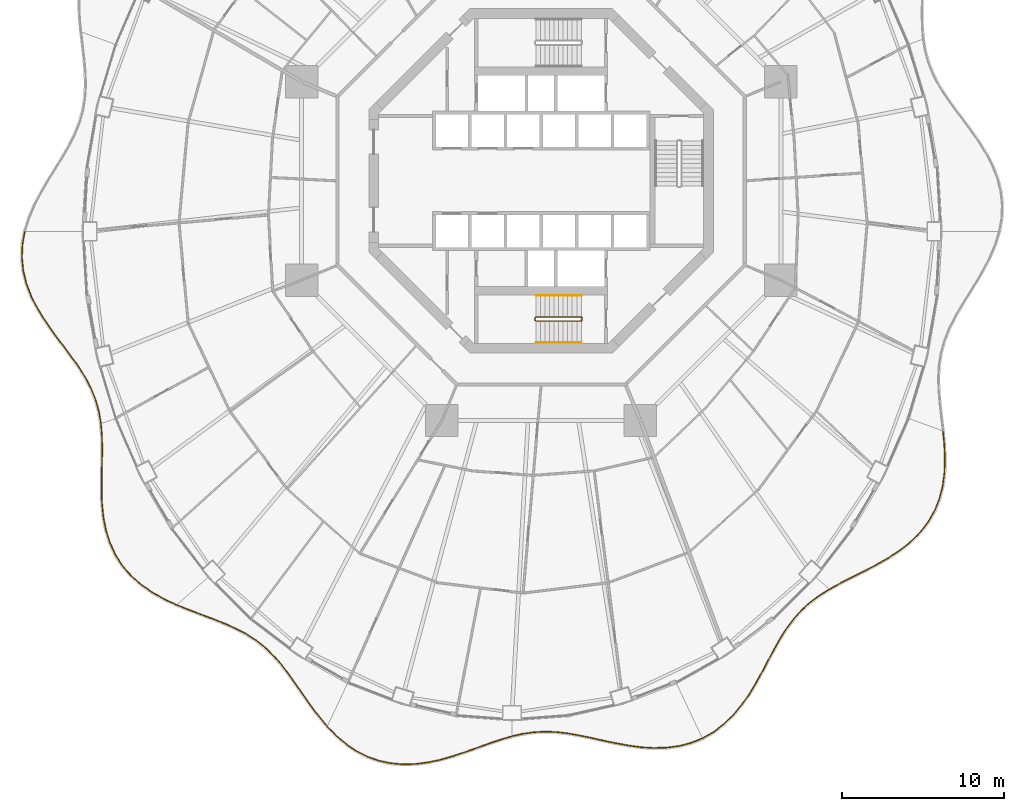
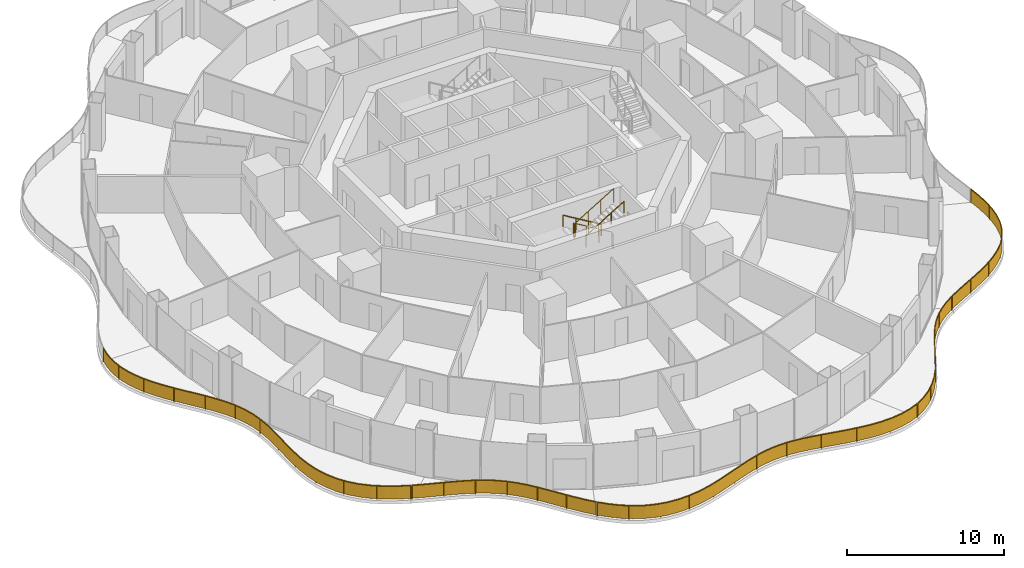
# One storey, part 18 of 20: 10 railings.
"""IFC4 building model written with IfcOpenShell, lengths in metres."""

from ifc_helpers import new_model, si_unit, direction, frame, origin, origin_2d, place, context, subcontext, project, spatial, polyline, rectangle, circle, outline, extrude, material, type_object, element, save


model = new_model("IFC4")

# Units and contexts
model_context = context("Model", 3, precision=1e-05, world=origin(), true_north=direction((0.0, 1.0)))
body_context = subcontext(model_context, "Body", "Model", "MODEL_VIEW")
ifc_project = project(units=[si_unit("LENGTHUNIT", "METRE"), si_unit("AREAUNIT", "SQUARE_METRE"), si_unit("VOLUMEUNIT", "CUBIC_METRE"), si_unit("PLANEANGLEUNIT", "RADIAN"), si_unit("MASSUNIT", "GRAM", prefix="KILO")], contexts=[model_context])

# Site, building, storey
site_placement = place(None, origin())
site = spatial("IfcSite", under=ifc_project, at=site_placement, CompositionType="ELEMENT")
building_placement = place(site_placement, origin())
building = spatial("IfcBuilding", under=site, at=building_placement, Name="Nagisa Residences", CompositionType="ELEMENT")
storey_placement = place(building_placement, frame((0.0, 0.0, 123.300048828125)))
storey = spatial("IfcBuildingStorey", under=building, at=storey_placement, Name="L30", CompositionType="ELEMENT", Elevation=123.300048828125)

# Railings
ifc_material_1 = material(Name="Stainless steel 316", Category="steel")
railing_type_1 = type_object("IfcRailingType", Name="BALCONY GUARD 1100", PredefinedType="BALUSTRADE", material=ifc_material_1)
railing_1_placement = place(storey_placement, frame((-31.85791015625, -3.15576171875, 0.0)))
element("IfcRailing", 1, at=railing_1_placement, inside=storey, type_object=railing_type_1, Name="guard:L30:bal08-0", PredefinedType="BALUSTRADE", context=body_context, shape_type="SweptSolid", body=[
    extrude(outline(polyline([(-0.114501953125, -0.77587890625), (0.024658203125, -0.00439453125), (-0.024658203125, 0.00439453125), (-0.164306640625, -0.7705078125), (-0.197021484375, -1.59423828125), (-0.11083984375, -2.41357421875), (0.090087890625, -3.22119140625), (0.396240234375, -4.011474609375), (0.789794921875, -4.7666015625), (1.252197265625, -5.51171875), (1.75830078125, -6.23388671875), (2.281494140625, -6.935546875), (2.7958984375, -7.6220703125), (3.274658203125, -8.2861328125), (3.70361328125, -8.963134765625), (4.064697265625, -9.6484375), (4.3486328125, -10.350341796875), (4.552734375, -11.076416015625), (4.67431640625, -11.79150390625), (4.7236328125, -11.783203125), (4.6015625, -11.065185546875), (4.39599609375, -10.334228515625), (4.110107421875, -9.62744140625), (3.7470703125, -8.938232421875), (3.316162109375, -8.25830078125), (2.83642578125, -7.59228515625), (2.321533203125, -6.90576171875), (1.798828125, -6.20458984375), (1.294189453125, -5.484375), (0.833251953125, -4.74169921875), (0.442138671875, -3.990966796875), (0.137939453125, -3.2060546875), (-0.0615234375, -2.40478515625), (-0.146728515625, -1.5927734375), (-0.114501953125, -0.77587890625)])), frame((0.0, 0.0, 1.050048828125)), (0.0, 0.0, 1.0), 0.050048828125),
    extrude(outline(polyline([(-0.13232421875, -0.77392578125), (0.0068359375, -0.001220703125), (-0.0068359375, 0.001220703125), (-0.146484375, -0.7724609375), (-0.178955078125, -1.59375), (-0.093017578125, -2.410400390625), (0.107421875, -3.2158203125), (0.412841796875, -4.004150390625), (0.805419921875, -4.757568359375), (1.267333984375, -5.501953125), (1.77294921875, -6.223388671875), (2.2958984375, -6.9248046875), (2.810546875, -7.611328125), (3.28955078125, -8.276123046875), (3.71923828125, -8.9541015625), (4.0810546875, -9.640869140625), (4.36572265625, -10.344482421875), (4.5703125, -11.072265625), (4.692138671875, -11.78857421875), (4.705810546875, -11.7861328125), (4.583984375, -11.0693359375), (4.37890625, -10.340087890625), (4.09375, -9.635009765625), (3.7314453125, -8.947265625), (3.30126953125, -8.268310546875), (2.82177734375, -7.60302734375), (2.30712890625, -6.91650390625), (1.7841796875, -6.215087890625), (1.279052734375, -5.494140625), (0.817626953125, -4.750732421875), (0.425537109375, -3.998291015625), (0.12060546875, -3.21142578125), (-0.079345703125, -2.407958984375), (-0.164794921875, -1.59326171875), (-0.13232421875, -0.77392578125)])), frame((0.0, 0.0, 0.06005859375)), (0.0, 0.0, 1.0), 0.989990234375),
    extrude(rectangle(XDim=0.0400390625, YDim=0.0400390625, at=origin_2d()), origin(), (0.0, 0.0, 1.0), 1.050048828125),
    extrude(rectangle(XDim=0.0400390625, YDim=0.0400390625, at=origin_2d()), frame((-0.11181640625, -2.1640625, 0.0)), (0.0, 0.0, 1.0), 1.050048828125),
    extrude(rectangle(XDim=0.0400390625, YDim=0.0400390625, at=origin_2d()), frame((0.539306640625, -4.23193359375, 0.0)), (0.0, 0.0, 1.0), 1.050048828125),
    extrude(rectangle(XDim=0.0400390625, YDim=0.0400390625, at=origin_2d()), frame((1.68408203125, -6.084228515625, 0.0)), (0.0, 0.0, 1.0), 1.050048828125),
    extrude(rectangle(XDim=0.0400390625, YDim=0.0400390625, at=origin_2d()), frame((2.9814453125, -7.83642578125, 0.0)), (0.0, 0.0, 1.0), 1.050048828125),
    extrude(rectangle(XDim=0.0400390625, YDim=0.0400390625, at=origin_2d()), frame((4.111083984375, -9.696533203125, 0.0)), (0.0, 0.0, 1.0), 1.050048828125),
    extrude(rectangle(XDim=0.0400390625, YDim=0.0400390625, at=origin_2d()), frame((4.698974609375, -11.787353515625, 0.0)), (0.0, 0.0, 1.0), 1.050048828125),
])
railing_2_placement = place(storey_placement, frame((-27.152099609375, -15.013671875, 0.0)))
element("IfcRailing", 2, at=railing_2_placement, inside=storey, type_object=railing_type_1, Name="guard:L30:bal09-0", PredefinedType="BALUSTRADE", context=body_context, shape_type="SweptSolid", body=[
    extrude(outline(polyline([(0.08349609375, -0.721923828125), (0.02490234375, 0.001953125), (-0.02490234375, -0.001953125), (0.03369140625, -0.724365234375), (0.04931640625, -1.518798828125), (0.037109375, -2.3408203125), (0.01708984375, -3.18408203125), (0.011474609375, -4.0400390625), (0.035888671875, -4.884521484375), (0.12353515625, -5.7314453125), (0.284912109375, -6.55419921875), (0.5322265625, -7.340576171875), (0.873779296875, -8.078369140625), (1.304443359375, -8.746337890625), (1.8349609375, -9.359619140625), (2.451171875, -9.90673828125), (3.13916015625, -10.386474609375), (3.883056640625, -10.804931640625), (4.62353515625, -11.149169921875), (4.64453125, -11.103759765625), (3.906005859375, -10.760498046875), (3.166015625, -10.343994140625), (2.482421875, -9.8671875), (1.87060546875, -9.324462890625), (1.344482421875, -8.716064453125), (0.917724609375, -8.053955078125), (0.5791015625, -7.322509765625), (0.333251953125, -6.5419921875), (0.1728515625, -5.72412109375), (0.085693359375, -4.881103515625), (0.061767578125, -4.03955078125), (0.06689453125, -3.18505859375), (0.0869140625, -2.341796875), (0.099609375, -1.518798828125), (0.08349609375, -0.721923828125)])), frame((0.0, 0.0, 1.050048828125)), (0.0, 0.0, 1.0), 0.050048828125),
    extrude(outline(polyline([(0.065673828125, -0.722900390625), (0.007080078125, 0.00048828125), (-0.007080078125, -0.00048828125), (0.051513671875, -0.723388671875), (0.0673828125, -1.518798828125), (0.054931640625, -2.341064453125), (0.034912109375, -3.1845703125), (0.029541015625, -4.039794921875), (0.0537109375, -4.88330078125), (0.141357421875, -5.728759765625), (0.30224609375, -6.5498046875), (0.549072265625, -7.333984375), (0.8896484375, -8.069580078125), (1.31884765625, -8.7353515625), (1.847900390625, -9.346923828125), (2.46240234375, -9.892578125), (3.14892578125, -10.37109375), (3.891357421875, -10.7890625), (4.631103515625, -11.1328125), (4.636962890625, -11.1201171875), (3.897705078125, -10.7763671875), (3.15625, -10.359375), (2.47119140625, -9.88134765625), (1.857666015625, -9.337158203125), (1.330078125, -8.72705078125), (0.90185546875, -8.062744140625), (0.562255859375, -7.3291015625), (0.31591796875, -6.54638671875), (0.155029296875, -5.726806640625), (0.06787109375, -4.88232421875), (0.043701171875, -4.039794921875), (0.049072265625, -3.1845703125), (0.069091796875, -2.341552734375), (0.08154296875, -1.518798828125), (0.065673828125, -0.722900390625)])), frame((0.0, 0.0, 0.06005859375)), (0.0, 0.0, 1.0), 0.989990234375),
    extrude(rectangle(XDim=0.0400390625, YDim=0.0400390625, at=origin_2d()), origin(), (0.0, 0.0, 1.0), 1.050048828125),
    extrude(rectangle(XDim=0.0400390625, YDim=0.0400390625, at=origin_2d()), frame((0.064453125, -2.184814453125, 0.0)), (0.0, 0.0, 1.0), 1.050048828125),
    extrude(rectangle(XDim=0.0400390625, YDim=0.0400390625, at=origin_2d()), frame((0.046142578125, -4.3720703125, 0.0)), (0.0, 0.0, 1.0), 1.050048828125),
    extrude(rectangle(XDim=0.0400390625, YDim=0.0400390625, at=origin_2d()), frame((0.307373046875, -6.539306640625, 0.0)), (0.0, 0.0, 1.0), 1.050048828125),
    extrude(rectangle(XDim=0.0400390625, YDim=0.0400390625, at=origin_2d()), frame((1.192626953125, -8.526611328125, 0.0)), (0.0, 0.0, 1.0), 1.050048828125),
    extrude(rectangle(XDim=0.0400390625, YDim=0.0400390625, at=origin_2d()), frame((2.7255859375, -10.0673828125, 0.0)), (0.0, 0.0, 1.0), 1.050048828125),
    extrude(rectangle(XDim=0.0400390625, YDim=0.0400390625, at=origin_2d()), frame((4.634033203125, -11.12646484375, 0.0)), (0.0, 0.0, 1.0), 1.050048828125),
])
railing_3_placement = place(storey_placement, frame((-22.447021484375, -26.169921875, 0.0)))
element("IfcRailing", 3, at=railing_3_placement, inside=storey, type_object=railing_type_1, Name="guard:L30:bal10-0", PredefinedType="BALUSTRADE", context=body_context, shape_type="SweptSolid", body=[
    extrude(outline(polyline([(0.728271484375, -0.2685546875), (0.009521484375, 0.023193359375), (-0.009521484375, -0.023193359375), (0.710205078125, -0.31494140625), (1.47119140625, -0.603515625), (2.217529296875, -0.883544921875), (2.93603515625, -1.169189453125), (3.617431640625, -1.4755859375), (4.243408203125, -1.804931640625), (4.836181640625, -2.18798828125), (5.38525390625, -2.62255859375), (5.895751953125, -3.11181640625), (6.376220703125, -3.655029296875), (6.822509765625, -4.23876953125), (7.274658203125, -4.871826171875), (7.73095703125, -5.531982421875), (8.203369140625, -6.20263671875), (8.703125, -6.865966796875), (9.20556640625, -7.4677734375), (9.244140625, -7.435546875), (8.7421875, -6.834716796875), (8.243896484375, -6.17333984375), (7.77197265625, -5.503173828125), (7.315673828125, -4.843017578125), (6.862548828125, -4.208984375), (6.414794921875, -3.623291015625), (5.931884765625, -3.0771484375), (5.41796875, -2.5849609375), (4.865478515625, -2.1474609375), (4.268798828125, -1.761474609375), (3.639404296875, -1.4306640625), (2.95556640625, -1.123291015625), (2.235595703125, -0.836669921875), (1.48876953125, -0.556640625), (0.728271484375, -0.2685546875)])), frame((0.0, 0.0, 1.050048828125)), (0.0, 0.0, 1.0), 0.050048828125),
    extrude(outline(polyline([(0.7216796875, -0.28515625), (0.002685546875, 0.006591796875), (-0.002685546875, -0.006591796875), (0.716796875, -0.29833984375), (1.4775390625, -0.586669921875), (2.22412109375, -0.86669921875), (2.943115234375, -1.152587890625), (3.625244140625, -1.45947265625), (4.252685546875, -1.789306640625), (4.8466796875, -2.17333984375), (5.39697265625, -2.609130859375), (5.90869140625, -3.099365234375), (6.39013671875, -3.6435546875), (6.8369140625, -4.22802734375), (7.28955078125, -4.861328125), (7.74560546875, -5.521484375), (8.218017578125, -6.192138671875), (8.71728515625, -6.854736328125), (9.219482421875, -7.4560546875), (9.230224609375, -7.447265625), (8.72802734375, -6.845947265625), (8.229248046875, -6.183837890625), (7.75732421875, -5.513671875), (7.30078125, -4.853515625), (6.84814453125, -4.2197265625), (6.40087890625, -3.634765625), (5.9189453125, -3.089599609375), (5.40625, -2.598388671875), (4.85498046875, -2.162109375), (4.259521484375, -1.777099609375), (3.631591796875, -1.44677734375), (2.948486328125, -1.139892578125), (2.22900390625, -0.853515625), (1.482421875, -0.573486328125), (0.7216796875, -0.28515625)])), frame((0.0, 0.0, 0.06005859375)), (0.0, 0.0, 1.0), 0.989990234375),
    extrude(rectangle(XDim=0.0400390625, YDim=0.0400390625, at=origin_2d()), origin(), (0.0, 0.0, 1.0), 1.050048828125),
    extrude(rectangle(XDim=0.0400390625, YDim=0.0400390625, at=origin_2d()), frame((1.897705078125, -0.73681640625, 0.0)), (0.0, 0.0, 1.0), 1.050048828125),
    extrude(rectangle(XDim=0.0400390625, YDim=0.0400390625, at=origin_2d()), frame((3.772216796875, -1.52880859375, 0.0)), (0.0, 0.0, 1.0), 1.050048828125),
    extrude(rectangle(XDim=0.0400390625, YDim=0.0400390625, at=origin_2d()), frame((5.458251953125, -2.657958984375, 0.0)), (0.0, 0.0, 1.0), 1.050048828125),
    extrude(rectangle(XDim=0.0400390625, YDim=0.0400390625, at=origin_2d()), frame((6.807373046875, -4.177734375, 0.0)), (0.0, 0.0, 1.0), 1.050048828125),
    extrude(rectangle(XDim=0.0400390625, YDim=0.0400390625, at=origin_2d()), frame((7.97998046875, -5.842041015625, 0.0)), (0.0, 0.0, 1.0), 1.050048828125),
    extrude(rectangle(XDim=0.0400390625, YDim=0.0400390625, at=origin_2d()), frame((9.224853515625, -7.45166015625, 0.0)), (0.0, 0.0, 1.0), 1.050048828125),
])
railing_4_placement = place(storey_placement, frame((-13.1708984375, -33.6796875, 0.0)))
element("IfcRailing", 4, at=railing_4_placement, inside=storey, type_object=railing_type_1, Name="guard:L30:bal11-0", PredefinedType="BALUSTRADE", context=body_context, shape_type="SweptSolid", body=[
    extrude(outline(polyline([(0.537109375, -0.518310546875), (0.01806640625, 0.017333984375), (-0.01806640625, -0.017333984375), (0.5029296875, -0.554931640625), (1.1015625, -1.065185546875), (1.743408203125, -1.50146484375), (2.425537109375, -1.85302734375), (3.14453125, -2.11181640625), (3.876220703125, -2.26904296875), (4.646728515625, -2.33642578125), (5.430419921875, -2.313720703125), (6.218994140625, -2.21142578125), (7.004638671875, -2.042236328125), (7.76318359375, -1.81982421875), (8.5234375, -1.567626953125), (9.266357421875, -1.3017578125), (9.989990234375, -1.041259765625), (10.695556640625, -0.802734375), (11.34375, -0.612548828125), (11.32958984375, -0.564697265625), (10.680419921875, -0.7548828125), (9.973388671875, -0.993896484375), (9.249267578125, -1.2548828125), (8.50732421875, -1.520263671875), (7.748046875, -1.77197265625), (6.992431640625, -1.993896484375), (6.210693359375, -2.162109375), (5.426513671875, -2.263916015625), (4.648193359375, -2.2861328125), (3.883544921875, -2.21923828125), (3.158203125, -2.0634765625), (2.445556640625, -1.80712890625), (1.768798828125, -1.45849609375), (1.1318359375, -1.025146484375), (0.537109375, -0.518310546875)])), frame((0.0, 0.0, 1.050048828125)), (0.0, 0.0, 1.0), 0.050048828125),
    extrude(outline(polyline([(0.52490234375, -0.531494140625), (0.005126953125, 0.0048828125), (-0.005126953125, -0.0048828125), (0.51513671875, -0.541748046875), (1.112548828125, -1.05078125), (1.75244140625, -1.486083984375), (2.432861328125, -1.83642578125), (3.1494140625, -2.094482421875), (3.87890625, -2.2509765625), (4.647216796875, -2.318359375), (5.428955078125, -2.2958984375), (6.216064453125, -2.193603515625), (7.000244140625, -2.02490234375), (7.7578125, -1.802490234375), (8.517578125, -1.550537109375), (9.26025390625, -1.284912109375), (9.98388671875, -1.024169921875), (10.690185546875, -0.785400390625), (11.338623046875, -0.595458984375), (11.334716796875, -0.581787109375), (10.685791015625, -0.772216796875), (9.9794921875, -1.010986328125), (9.25537109375, -1.271728515625), (8.51318359375, -1.537353515625), (7.75341796875, -1.789306640625), (6.996826171875, -2.01123046875), (6.213623046875, -2.179931640625), (5.427978515625, -2.28173828125), (4.647705078125, -2.30419921875), (3.880859375, -2.2373046875), (3.1533203125, -2.080810546875), (2.438232421875, -1.82373046875), (1.759765625, -1.473876953125), (1.120849609375, -1.03955078125), (0.52490234375, -0.531494140625)])), frame((0.0, 0.0, 0.06005859375)), (0.0, 0.0, 1.0), 0.989990234375),
    extrude(rectangle(XDim=0.0400390625, YDim=0.0400390625, at=origin_2d()), origin(), (0.0, 0.0, 1.0), 1.050048828125),
    extrude(rectangle(XDim=0.0400390625, YDim=0.0400390625, at=origin_2d()), frame((1.544189453125, -1.3359375, 0.0)), (0.0, 0.0, 1.0), 1.050048828125),
    extrude(rectangle(XDim=0.0400390625, YDim=0.0400390625, at=origin_2d()), frame((3.41259765625, -2.143798828125, 0.0)), (0.0, 0.0, 1.0), 1.050048828125),
    extrude(rectangle(XDim=0.0400390625, YDim=0.0400390625, at=origin_2d()), frame((5.44677734375, -2.286376953125, 0.0)), (0.0, 0.0, 1.0), 1.050048828125),
    extrude(rectangle(XDim=0.0400390625, YDim=0.0400390625, at=origin_2d()), frame((7.45166015625, -1.885009765625, 0.0)), (0.0, 0.0, 1.0), 1.050048828125),
    extrude(rectangle(XDim=0.0400390625, YDim=0.0400390625, at=origin_2d()), frame((9.39208984375, -1.22998046875, 0.0)), (0.0, 0.0, 1.0), 1.050048828125),
    extrude(rectangle(XDim=0.0400390625, YDim=0.0400390625, at=origin_2d()), frame((11.336669921875, -0.588623046875, 0.0)), (0.0, 0.0, 1.0), 1.050048828125),
])
railing_5_placement = place(storey_placement, frame((-1.765380859375, -34.248291015625, 0.0)))
element("IfcRailing", 5, at=railing_5_placement, inside=storey, type_object=railing_type_1, Name="guard:L30:bal12-0", PredefinedType="BALUSTRADE", context=body_context, shape_type="SweptSolid", body=[
    extrude(outline(polyline([(0.634033203125, 0.16796875), (-0.00537109375, 0.0244140625), (0.00537109375, -0.0244140625), (0.642822265625, 0.11865234375), (1.318359375, 0.2138671875), (1.99560546875, 0.248779296875), (2.680908203125, 0.22509765625), (3.37939453125, 0.1474609375), (4.07861328125, 0.0234375), (4.815673828125, -0.128662109375), (5.572509765625, -0.295654296875), (6.348388671875, -0.460205078125), (7.13818359375, -0.602783203125), (7.91943359375, -0.711669921875), (8.7177734375, -0.759765625), (9.50732421875, -0.7373046875), (10.278564453125, -0.634033203125), (11.02197265625, -0.4423828125), (11.683349609375, -0.17724609375), (11.664794921875, -0.130859375), (11.00634765625, -0.39453125), (10.268798828125, -0.584716796875), (9.50341796875, -0.6875), (8.71875, -0.70947265625), (7.92431640625, -0.661865234375), (7.14599609375, -0.553466796875), (6.358154296875, -0.410888671875), (5.583251953125, -0.246826171875), (4.825927734375, -0.079833984375), (4.087890625, 0.07275390625), (3.38671875, 0.197265625), (2.684326171875, 0.27490234375), (1.9951171875, 0.299072265625), (1.3134765625, 0.263671875), (0.634033203125, 0.16796875)])), frame((0.0, 0.0, 1.050048828125)), (0.0, 0.0, 1.0), 0.050048828125),
    extrude(outline(polyline([(0.63720703125, 0.150146484375), (-0.00146484375, 0.0068359375), (0.00146484375, -0.0068359375), (0.6396484375, 0.136474609375), (1.316650390625, 0.231689453125), (1.995361328125, 0.266845703125), (2.68212890625, 0.242919921875), (3.382080078125, 0.16552734375), (4.08203125, 0.041259765625), (4.8193359375, -0.111083984375), (5.576416015625, -0.278076171875), (6.351806640625, -0.4423828125), (7.140869140625, -0.5849609375), (7.921142578125, -0.69384765625), (8.71826171875, -0.74169921875), (9.505859375, -0.719482421875), (10.275146484375, -0.6162109375), (11.016357421875, -0.425048828125), (11.6767578125, -0.16064453125), (11.67138671875, -0.1474609375), (11.011962890625, -0.411865234375), (10.272216796875, -0.6025390625), (9.5048828125, -0.705322265625), (8.71826171875, -0.7275390625), (7.922607421875, -0.6796875), (7.143310546875, -0.5712890625), (6.354736328125, -0.4287109375), (5.579345703125, -0.264404296875), (4.822265625, -0.097412109375), (4.08447265625, 0.054931640625), (3.384033203125, 0.17919921875), (2.68310546875, 0.257080078125), (1.995361328125, 0.281005859375), (1.315185546875, 0.245849609375), (0.63720703125, 0.150146484375)])), frame((0.0, 0.0, 0.06005859375)), (0.0, 0.0, 1.0), 0.989990234375),
    extrude(rectangle(XDim=0.0400390625, YDim=0.0400390625, at=origin_2d()), origin(), (0.0, 0.0, 1.0), 1.050048828125),
    extrude(rectangle(XDim=0.0400390625, YDim=0.0400390625, at=origin_2d()), frame((2.349853515625, 0.261474609375, 0.0)), (0.0, 0.0, 1.0), 1.050048828125),
    extrude(rectangle(XDim=0.0400390625, YDim=0.0400390625, at=origin_2d()), frame((4.6953125, -0.078369140625, 0.0)), (0.0, 0.0, 1.0), 1.050048828125),
    extrude(rectangle(XDim=0.0400390625, YDim=0.0400390625, at=origin_2d()), frame((7.02001953125, -0.55615234375, 0.0)), (0.0, 0.0, 1.0), 1.050048828125),
    extrude(rectangle(XDim=0.0400390625, YDim=0.0400390625, at=origin_2d()), frame((9.382568359375, -0.7158203125, 0.0)), (0.0, 0.0, 1.0), 1.050048828125),
    extrude(rectangle(XDim=0.0400390625, YDim=0.0400390625, at=origin_2d()), frame((11.674072265625, -0.154052734375, 0.0)), (0.0, 0.0, 1.0), 1.050048828125),
])
railing_6_placement = place(storey_placement, frame((9.978515625, -34.368896484375, 0.0)))
element("IfcRailing", 6, at=railing_6_placement, inside=storey, type_object=railing_type_1, Name="guard:L30:bal13-0", PredefinedType="BALUSTRADE", context=body_context, shape_type="SweptSolid", body=[
    extrude(outline(polyline([(0.62939453125, 0.38525390625), (-0.012451171875, 0.021728515625), (0.012451171875, -0.021728515625), (0.65673828125, 0.34326171875), (1.2919921875, 0.8232421875), (1.87158203125, 1.38330078125), (2.397216796875, 2.009765625), (2.872314453125, 2.685791015625), (3.29150390625, 3.384765625), (3.69140625, 4.105712890625), (4.070556640625, 4.822265625), (4.443115234375, 5.518310546875), (4.822021484375, 6.180908203125), (5.208984375, 6.789306640625), (5.639892578125, 7.35888671875), (6.11181640625, 7.87744140625), (6.6318359375, 8.346923828125), (7.2021484375, 8.77294921875), (7.78564453125, 9.140625), (7.7587890625, 9.18310546875), (7.173828125, 8.814453125), (6.60009765625, 8.385498046875), (6.07666015625, 7.9130859375), (5.601318359375, 7.39111328125), (5.16796875, 6.818115234375), (4.779052734375, 6.206787109375), (4.399169921875, 5.542724609375), (4.026611328125, 4.845703125), (3.6474609375, 4.129638671875), (3.248046875, 3.40966796875), (2.830322265625, 2.713134765625), (2.357666015625, 2.04052734375), (1.8349609375, 1.41748046875), (1.25927734375, 0.861328125), (0.62939453125, 0.38525390625)])), frame((0.0, 0.0, 1.050048828125)), (0.0, 0.0, 1.0), 0.050048828125),
    extrude(outline(polyline([(0.63916015625, 0.3701171875), (-0.00341796875, 0.006103515625), (0.00341796875, -0.006103515625), (0.64697265625, 0.3583984375), (1.2802734375, 0.8369140625), (1.8583984375, 1.3955078125), (2.383056640625, 2.02099609375), (2.857177734375, 2.695556640625), (3.27587890625, 3.393798828125), (3.675537109375, 4.1142578125), (4.0546875, 4.830810546875), (4.42724609375, 5.527099609375), (4.806640625, 6.190185546875), (5.1943359375, 6.7998046875), (5.6259765625, 7.37060546875), (6.09912109375, 7.890380859375), (6.620361328125, 8.36083984375), (7.19189453125, 8.787841796875), (7.77587890625, 9.156005859375), (7.7685546875, 9.167724609375), (7.18408203125, 8.799560546875), (6.611572265625, 8.37158203125), (6.08935546875, 7.900146484375), (5.615234375, 7.37939453125), (5.1826171875, 6.8076171875), (4.79443359375, 6.197509765625), (4.4150390625, 5.533935546875), (4.04248046875, 4.837158203125), (3.663330078125, 4.12109375), (3.263671875, 3.400634765625), (2.845458984375, 2.703369140625), (2.371826171875, 2.029296875), (1.84814453125, 1.4052734375), (1.27099609375, 0.84765625), (0.63916015625, 0.3701171875)])), frame((0.0, 0.0, 0.06005859375)), (0.0, 0.0, 1.0), 0.989990234375),
    extrude(rectangle(XDim=0.0400390625, YDim=0.0400390625, at=origin_2d()), origin(), (0.0, 0.0, 1.0), 1.050048828125),
    extrude(rectangle(XDim=0.0400390625, YDim=0.0400390625, at=origin_2d()), frame((1.639404296875, 1.19384765625, 0.0)), (0.0, 0.0, 1.0), 1.050048828125),
    extrude(rectangle(XDim=0.0400390625, YDim=0.0400390625, at=origin_2d()), frame((2.903076171875, 2.785888671875, 0.0)), (0.0, 0.0, 1.0), 1.050048828125),
    extrude(rectangle(XDim=0.0400390625, YDim=0.0400390625, at=origin_2d()), frame((3.90380859375, 4.560546875, 0.0)), (0.0, 0.0, 1.0), 1.050048828125),
    extrude(rectangle(XDim=0.0400390625, YDim=0.0400390625, at=origin_2d()), frame((4.894287109375, 6.341064453125, 0.0)), (0.0, 0.0, 1.0), 1.050048828125),
    extrude(rectangle(XDim=0.0400390625, YDim=0.0400390625, at=origin_2d()), frame((6.14599609375, 7.94189453125, 0.0)), (0.0, 0.0, 1.0), 1.050048828125),
    extrude(rectangle(XDim=0.0400390625, YDim=0.0400390625, at=origin_2d()), frame((7.772216796875, 9.161865234375, 0.0)), (0.0, 0.0, 1.0), 1.050048828125),
])
railing_7_placement = place(storey_placement, frame((17.814697265625, -25.171875, 0.0)))
element("IfcRailing", 7, at=railing_7_placement, inside=storey, type_object=railing_type_1, Name="guard:L30:bal14-0", PredefinedType="BALUSTRADE", context=body_context, shape_type="SweptSolid", body=[
    extrude(outline(polyline([(0.648681640625, 0.385986328125), (-0.011962890625, 0.02197265625), (0.011962890625, -0.02197265625), (0.672119140625, 0.341552734375), (1.40625, 0.71630859375), (2.1630859375, 1.09521484375), (2.924072265625, 1.492919921875), (3.669677734375, 1.924072265625), (4.37109375, 2.386962890625), (5.02490234375, 2.9150390625), (5.605712890625, 3.500732421875), (6.099609375, 4.1455078125), (6.49658203125, 4.846435546875), (6.7861328125, 5.584716796875), (6.98291015625, 6.378173828125), (7.08740234375, 7.203125), (7.113037109375, 8.048583984375), (7.07568359375, 8.90283203125), (6.998291015625, 9.71044921875), (6.948486328125, 9.70556640625), (7.02587890625, 8.8994140625), (7.062744140625, 8.048095703125), (7.03759765625, 7.20703125), (6.93359375, 6.387451171875), (6.73828125, 5.599853515625), (6.451171875, 4.867919921875), (6.0576171875, 4.17333984375), (5.568115234375, 3.533935546875), (4.9912109375, 2.9521484375), (4.34130859375, 2.427490234375), (3.643310546875, 1.966552734375), (2.900146484375, 1.536865234375), (2.14013671875, 1.1396484375), (1.3837890625, 0.7607421875), (0.648681640625, 0.385986328125)])), frame((0.0, 0.0, 1.050048828125)), (0.0, 0.0, 1.0), 0.050048828125),
    extrude(outline(polyline([(0.6572265625, 0.369873046875), (-0.00341796875, 0.006103515625), (0.00341796875, -0.006103515625), (0.66357421875, 0.357666015625), (1.398193359375, 0.732177734375), (2.15478515625, 1.111083984375), (2.91552734375, 1.5087890625), (3.66015625, 1.939453125), (4.3603515625, 2.401611328125), (5.0126953125, 2.928466796875), (5.59228515625, 3.5126953125), (6.08447265625, 4.155517578125), (6.480224609375, 4.854248046875), (6.768798828125, 5.590087890625), (6.965087890625, 6.381591796875), (7.069580078125, 7.20458984375), (7.094970703125, 8.04833984375), (7.057861328125, 8.901611328125), (6.98046875, 9.708740234375), (6.96630859375, 9.707275390625), (7.043701171875, 8.900634765625), (7.080810546875, 8.04833984375), (7.055419921875, 7.20556640625), (6.951416015625, 6.384033203125), (6.755615234375, 5.594482421875), (6.467529296875, 4.860107421875), (6.07275390625, 4.163330078125), (5.58154296875, 3.52197265625), (5.00341796875, 2.938720703125), (4.35205078125, 2.412841796875), (3.65283203125, 1.951171875), (2.90869140625, 1.52099609375), (2.1484375, 1.123779296875), (1.391845703125, 0.744873046875), (0.6572265625, 0.369873046875)])), frame((0.0, 0.0, 0.06005859375)), (0.0, 0.0, 1.0), 0.989990234375),
    extrude(rectangle(XDim=0.0400390625, YDim=0.0400390625, at=origin_2d()), origin(), (0.0, 0.0, 1.0), 1.050048828125),
    extrude(rectangle(XDim=0.0400390625, YDim=0.0400390625, at=origin_2d()), frame((1.949462890625, 1.01611328125, 0.0)), (0.0, 0.0, 1.0), 1.050048828125),
    extrude(rectangle(XDim=0.0400390625, YDim=0.0400390625, at=origin_2d()), frame((3.869140625, 2.085693359375, 0.0)), (0.0, 0.0, 1.0), 1.050048828125),
    extrude(rectangle(XDim=0.0400390625, YDim=0.0400390625, at=origin_2d()), frame((5.555419921875, 3.485595703125, 0.0)), (0.0, 0.0, 1.0), 1.050048828125),
    extrude(rectangle(XDim=0.0400390625, YDim=0.0400390625, at=origin_2d()), frame((6.67236328125, 5.363037109375, 0.0)), (0.0, 0.0, 1.0), 1.050048828125),
    extrude(rectangle(XDim=0.0400390625, YDim=0.0400390625, at=origin_2d()), frame((7.07177734375, 7.513916015625, 0.0)), (0.0, 0.0, 1.0), 1.050048828125),
    extrude(rectangle(XDim=0.0400390625, YDim=0.0400390625, at=origin_2d()), frame((6.973388671875, 9.7080078125, 0.0)), (0.0, 0.0, 1.0), 1.050048828125),
])
ifc_material_2 = material(Name="Stainless steel", Category="steel")
railing_type_2 = type_object("IfcRailingType", Name="Stair guard 1100", PredefinedType="GUARDRAIL", material=ifc_material_2)
railing_8_placement = place(storey_placement, frame((2.52490234375, -8.599609375, 0.0)))
element("IfcRailing", 8, at=railing_8_placement, inside=storey, type_object=railing_type_2, Name="L30 ST-S stair guard 1", PredefinedType="GUARDRAIL", context=body_context, shape_type="SweptSolid", body=[
    extrude(circle(Radius=0.02392578125, at=origin_2d()), frame((0.0, 0.0, 1.076171875), z_axis=(0.0, 1.0, 0.0), x_axis=(-1.0, 0.0, 0.0)), (0.0, 0.0, 1.0), 0.14990234375),
    extrude(circle(Radius=0.02392578125, at=origin_2d()), frame((0.0, 0.14990234375, 1.076171875), z_axis=(-0.273006030465, 0.27434429532, 0.922064485248), x_axis=(-0.708833529934, -0.705375805398, 0.0)), (0.0, 0.0, 1.0), 0.182373046875),
    extrude(circle(Radius=0.02392578125, at=origin_2d()), frame((-0.0498046875, 0.199951171875, 1.244140625), z_axis=(-0.857275202839, 0.0, 0.514858452973), x_axis=(0.0, -1.0, 0.0)), (0.0, 0.0, 1.0), 3.26611328125),
    extrude(circle(Radius=0.02392578125, at=origin_2d()), frame((-2.849853515625, 0.199951171875, 2.92578125), z_axis=(-0.707106781187, -0.707106781187, 0.0), x_axis=(0.707106781187, -0.707106781187, 0.0)), (0.0, 0.0, 1.0), 0.07080078125),
    extrude(circle(Radius=0.02392578125, at=origin_2d()), frame((-2.89990234375, 0.14990234375, 2.92578125), z_axis=(0.0, -1.0, 0.0), x_axis=(1.0, 0.0, 0.0)), (0.0, 0.0, 1.0), 0.14990234375),
    extrude(circle(Radius=0.02392578125, at=origin_2d()), frame((-2.89990234375, 0.0, 2.92578125), z_axis=(0.274243871929, -0.274243871929, 0.92172696468), x_axis=(0.707106781187, 0.707106781187, 0.0)), (0.0, 0.0, 1.0), 0.1826171875),
    extrude(circle(Radius=0.02392578125, at=origin_2d()), frame((-2.849853515625, -0.050048828125, 3.09423828125), z_axis=(0.857242210791, 0.0, 0.514913383045), x_axis=(0.0, 1.0, 0.0)), (0.0, 0.0, 1.0), 3.266357421875),
    extrude(circle(Radius=0.02099609375, at=origin_2d()), origin(), (0.0, 0.0, 1.0), 1.052001953125),
    extrude(circle(Radius=0.02099609375, at=origin_2d()), frame((0.0, 0.14990234375, 0.0)), (0.0, 0.0, 1.0), 1.052001953125),
    extrude(circle(Radius=0.02099609375, at=origin_2d()), frame((-0.0498046875, 0.199951171875, 0.168212890625)), (0.0, 0.0, 1.0), 1.052001953125),
    extrude(circle(Radius=0.02099609375, at=origin_2d()), frame((-0.983154296875, 0.199951171875, 0.728759765625)), (0.0, 0.0, 1.0), 1.052001953125),
    extrude(circle(Radius=0.02099609375, at=origin_2d()), frame((-1.91650390625, 0.199951171875, 1.289306640625)), (0.0, 0.0, 1.0), 1.052001953125),
    extrude(circle(Radius=0.02099609375, at=origin_2d()), frame((-2.849853515625, 0.199951171875, 1.849853515625)), (0.0, 0.0, 1.0), 1.052001953125),
    extrude(circle(Radius=0.02099609375, at=origin_2d()), frame((-2.89990234375, 0.14990234375, 1.849853515625)), (0.0, 0.0, 1.0), 1.052001953125),
    extrude(circle(Radius=0.02099609375, at=origin_2d()), frame((-2.89990234375, 0.0, 1.849853515625)), (0.0, 0.0, 1.0), 1.052001953125),
    extrude(circle(Radius=0.02099609375, at=origin_2d()), frame((-2.849853515625, -0.050048828125, 2.01806640625)), (0.0, 0.0, 1.0), 1.052001953125),
    extrude(circle(Radius=0.02099609375, at=origin_2d()), frame((-1.91650390625, -0.050048828125, 2.57861328125)), (0.0, 0.0, 1.0), 1.052001953125),
    extrude(circle(Radius=0.02099609375, at=origin_2d()), frame((-0.983154296875, -0.050048828125, 3.139404296875)), (0.0, 0.0, 1.0), 1.052001953125),
    extrude(circle(Radius=0.02099609375, at=origin_2d()), frame((-0.0498046875, -0.050048828125, 3.699951171875)), (0.0, 0.0, 1.0), 1.052001953125),
])
ifc_material_3 = material(Name="Stainless steel", Category="steel")
railing_type_3 = type_object("IfcRailingType", Name="Stair handrail 900", PredefinedType="HANDRAIL", material=ifc_material_3)
railing_9_placement = place(storey_placement, frame((2.47509765625, -7.07470703125, 0.168212890625)))
element("IfcRailing", 9, at=railing_9_placement, inside=storey, type_object=railing_type_3, Name="L30 ST-S stair handrail 1", PredefinedType="HANDRAIL", context=body_context, shape_type="SweptSolid", body=[
    extrude(circle(Radius=0.02392578125, at=origin_2d()), frame((0.0, 0.0, 0.8759765625), z_axis=(-0.857275202839, 0.0, 0.514858452973), x_axis=(0.0, -1.0, 0.0)), (0.0, 0.0, 1.0), 3.26611328125),
    extrude(circle(Radius=0.02099609375, at=origin_2d()), origin(), (0.0, 0.0, 1.0), 0.851806640625),
    extrude(circle(Radius=0.02099609375, at=origin_2d()), frame((-0.933349609375, 0.0, 0.560546875)), (0.0, 0.0, 1.0), 0.851806640625),
    extrude(circle(Radius=0.02099609375, at=origin_2d()), frame((-1.86669921875, 0.0, 1.12109375)), (0.0, 0.0, 1.0), 0.851806640625),
    extrude(circle(Radius=0.02099609375, at=origin_2d()), frame((-2.800048828125, 0.0, 1.681640625)), (0.0, 0.0, 1.0), 0.851806640625),
])
railing_10_placement = place(storey_placement, frame((-0.324951171875, -9.974609375, 2.01806640625)))
element("IfcRailing", 10, at=railing_10_placement, inside=storey, type_object=railing_type_3, Name="L30 ST-S stair handrail 2", PredefinedType="HANDRAIL", context=body_context, shape_type="SweptSolid", body=[
    extrude(circle(Radius=0.02392578125, at=origin_2d()), frame((0.0, 0.0, 0.8759765625), z_axis=(0.857242210791, 0.0, 0.514913383045), x_axis=(0.0, 1.0, 0.0)), (0.0, 0.0, 1.0), 3.266357421875),
    extrude(circle(Radius=0.02099609375, at=origin_2d()), origin(), (0.0, 0.0, 1.0), 0.851806640625),
    extrude(circle(Radius=0.02099609375, at=origin_2d()), frame((0.933349609375, 0.0, 0.560546875)), (0.0, 0.0, 1.0), 0.851806640625),
    extrude(circle(Radius=0.02099609375, at=origin_2d()), frame((1.86669921875, 0.0, 1.121337890625)), (0.0, 0.0, 1.0), 0.851806640625),
    extrude(circle(Radius=0.02099609375, at=origin_2d()), frame((2.800048828125, 0.0, 1.681884765625)), (0.0, 0.0, 1.0), 0.851806640625),
])

save(model, "model.ifc")
